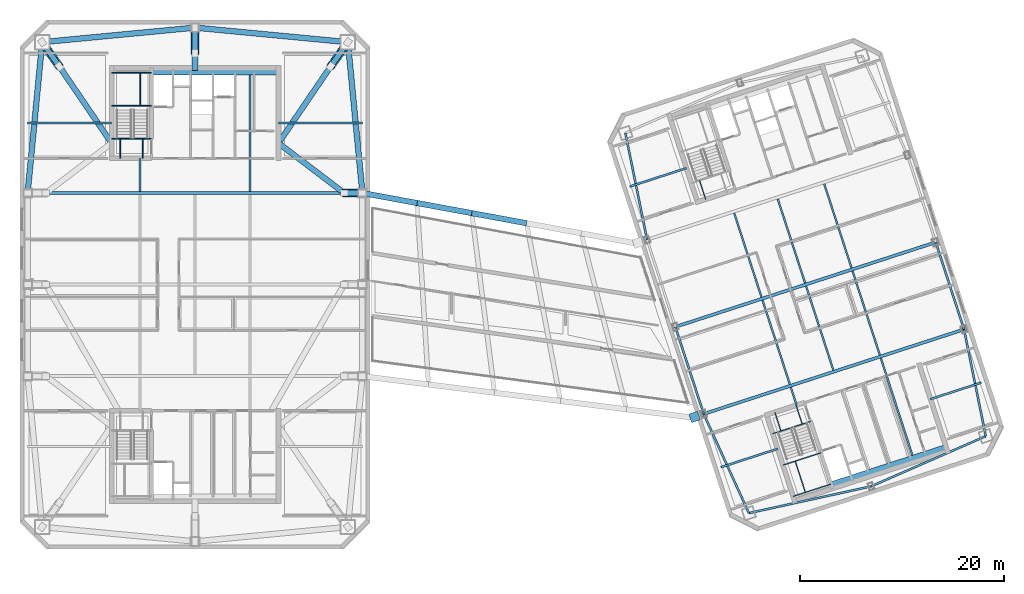
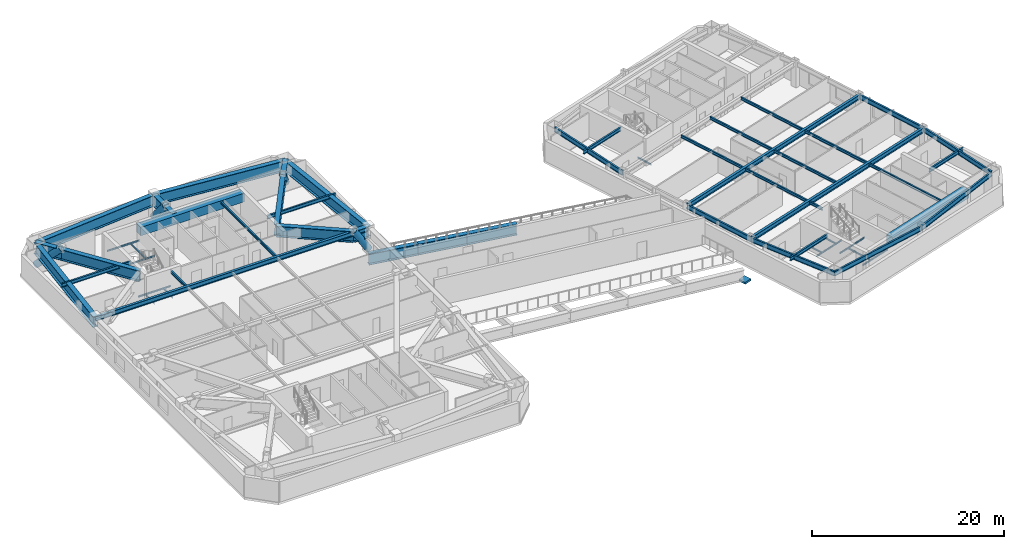
# One storey, part 4 of 18: 55 beams, 5 members.
"""IFC4 building model written with IfcOpenShell, lengths in metres."""

from ifc_helpers import new_model, si_unit, direction, frame, origin, origin_2d, place, context, subcontext, project, spatial, rectangle, hollow_circle, i_section, extrude, material, material_profile, profile_set, type_object, element, save


model = new_model("IFC4")

# Units and contexts
model_context = context("Model", 3, precision=1e-05, world=origin(), true_north=direction((0.0, 1.0)))
body_context = subcontext(model_context, "Body", "Model", "MODEL_VIEW")
ifc_project = project(units=[si_unit("LENGTHUNIT", "METRE"), si_unit("AREAUNIT", "SQUARE_METRE"), si_unit("VOLUMEUNIT", "CUBIC_METRE"), si_unit("PLANEANGLEUNIT", "RADIAN"), si_unit("MASSUNIT", "GRAM", prefix="KILO")], contexts=[model_context])

# Site, building, storey
site_placement = place(None, origin())
site = spatial("IfcSite", under=ifc_project, at=site_placement, CompositionType="ELEMENT")
building_placement = place(site_placement, origin())
building = spatial("IfcBuilding", under=site, at=building_placement, Name="Qiaolan Cultural Towers", CompositionType="ELEMENT")
storey_placement = place(building_placement, frame((0.0, 0.0, 219.64990234375)))
storey = spatial("IfcBuildingStorey", under=building, at=storey_placement, Name="L59", CompositionType="ELEMENT", Elevation=219.64990234375)

# Beams
ifc_material_1 = material(Name="Steel Q420GJB", Category="steel")
ifc_material_profile_1 = material_profile(ifc_material_1, i_section(OverallWidth=0.550048828125, OverallDepth=1.39990234375, WebThickness=0.031982421875, FlangeThickness=0.050048828125, at=origin_2d()), Name="BH1400x550x32x50")
ifc_profile_set_1 = profile_set([ifc_material_profile_1], Name="Steel Q420GJB")
beam_type_1 = type_object("IfcBeamType", Name="BM-BH1400x550x32x50", PredefinedType="BEAM", material=ifc_profile_set_1)
beam_1_placement = place(storey_placement, frame((45.02001953125, 57.820068359375, 2.530029296875), z_axis=(-0.577318275883, -0.816519202672, 0.0), x_axis=(0.816519202672, -0.577318275883, 0.0)))
element("IfcBeam", 1, at=beam_1_placement, inside=storey, type_object=beam_type_1, Name="L59 T1 Setback Transfer Girder MC-NE-A", PredefinedType="BEAM", context=body_context, shape_type="SweptSolid", body=[
    extrude(i_section(OverallWidth=0.550048828125, OverallDepth=1.39990234375, WebThickness=0.031982421875, FlangeThickness=0.050048828125, at=origin_2d()), origin(), (0.0, 0.0, 1.0), 2.92724609375),
])
beam_2_placement = place(storey_placement, frame((43.330078125, 55.429931640625, 2.530029296875), z_axis=(-0.563038304074, -0.826430800579, 0.0), x_axis=(0.826430800579, -0.563038304074, 0.0)))
element("IfcBeam", 2, at=beam_2_placement, inside=storey, type_object=beam_type_1, Name="L59 T1 Setback Transfer Girder MC-NE-B", PredefinedType="BEAM", context=body_context, shape_type="SweptSolid", body=[
    extrude(i_section(OverallWidth=0.550048828125, OverallDepth=1.39990234375, WebThickness=0.031982421875, FlangeThickness=0.050048828125, at=origin_2d()), origin(), (0.0, 0.0, 1.0), 9.111572265625),
])
beam_3_placement = place(storey_placement, frame((14.97998046875, 57.820068359375, 2.530029296875), z_axis=(0.577318275883, -0.816519202672, 0.0), x_axis=(0.816519202672, 0.577318275883, 0.0)))
element("IfcBeam", 3, at=beam_3_placement, inside=storey, type_object=beam_type_1, Name="L59 T1 Setback Transfer Girder MC-NW-A", PredefinedType="BEAM", context=body_context, shape_type="SweptSolid", body=[
    extrude(i_section(OverallWidth=0.550048828125, OverallDepth=1.39990234375, WebThickness=0.031982421875, FlangeThickness=0.050048828125, at=origin_2d()), origin(), (0.0, 0.0, 1.0), 2.92724609375),
])
beam_4_placement = place(storey_placement, frame((16.669921875, 55.429931640625, 2.530029296875), z_axis=(0.563038304074, -0.826430800579, 0.0), x_axis=(0.826430800579, 0.563038304074, 0.0)))
element("IfcBeam", 4, at=beam_4_placement, inside=storey, type_object=beam_type_1, Name="L59 T1 Setback Transfer Girder MC-NW-B", PredefinedType="BEAM", context=body_context, shape_type="SweptSolid", body=[
    extrude(i_section(OverallWidth=0.550048828125, OverallDepth=1.39990234375, WebThickness=0.031982421875, FlangeThickness=0.050048828125, at=origin_2d()), origin(), (0.0, 0.0, 1.0), 9.111572265625),
])
beam_5_placement = place(storey_placement, frame((46.449951171875, 43.0, 2.530029296875), z_axis=(-1.0, 0.0, 0.0), x_axis=(0.0, -1.0, 0.0)))
element("IfcBeam", 5, at=beam_5_placement, inside=storey, type_object=beam_type_1, Name="L59 T1 Setback Transfer Girder PC-E3-A", PredefinedType="BEAM", context=body_context, shape_type="SweptSolid", body=[
    extrude(i_section(OverallWidth=0.550048828125, OverallDepth=1.39990234375, WebThickness=0.031982421875, FlangeThickness=0.050048828125, at=origin_2d()), origin(), (0.0, 0.0, 1.0), 1.800048828125),
])
beam_6_placement = place(storey_placement, frame((44.64990234375, 43.0, 2.530029296875), z_axis=(-0.796284727184, 0.604922005927, 0.0), x_axis=(-0.604922005927, -0.796284727184, 0.0)))
element("IfcBeam", 6, at=beam_6_placement, inside=storey, type_object=beam_type_1, Name="L59 T1 Setback Transfer Girder PC-E3-B", PredefinedType="BEAM", context=body_context, shape_type="SweptSolid", body=[
    extrude(i_section(OverallWidth=0.550048828125, OverallDepth=1.39990234375, WebThickness=0.031982421875, FlangeThickness=0.050048828125, at=origin_2d()), origin(), (0.0, 0.0, 1.0), 8.10009765625),
])
beam_7_placement = place(storey_placement, frame((30.0, 59.25, 2.530029296875), z_axis=(0.0, -1.0, 0.0), x_axis=(1.0, 0.0, 0.0)))
element("IfcBeam", 7, at=beam_7_placement, inside=storey, type_object=beam_type_1, Name="L59 T1 Setback Transfer Girder PC-N0-A", PredefinedType="BEAM", context=body_context, shape_type="SweptSolid", body=[
    extrude(i_section(OverallWidth=0.550048828125, OverallDepth=1.39990234375, WebThickness=0.031982421875, FlangeThickness=0.050048828125, at=origin_2d()), origin(), (0.0, 0.0, 1.0), 2.5),
])
beam_8_placement = place(storey_placement, frame((30.0, 56.75, 2.530029296875), z_axis=(0.0, -1.0, 0.0), x_axis=(1.0, 0.0, 0.0)))
element("IfcBeam", 8, at=beam_8_placement, inside=storey, type_object=beam_type_1, Name="L59 T1 Setback Transfer Girder PC-N0-B", PredefinedType="BEAM", context=body_context, shape_type="SweptSolid", body=[
    extrude(i_section(OverallWidth=0.550048828125, OverallDepth=1.39990234375, WebThickness=0.031982421875, FlangeThickness=0.050048828125, at=origin_2d()), origin(), (0.0, 0.0, 1.0), 1.699951171875),
])
beam_9_placement = place(storey_placement, frame((46.449951171875, 43.0, 2.489990234375), z_axis=(-0.096040159186, 0.995377459974, 0.0), x_axis=(-0.995377459974, -0.096040159186, 0.0)))
element("IfcBeam", 9, at=beam_9_placement, inside=storey, type_object=beam_type_1, Name="L59 T1 Perimeter Spandrel Beam 6", PredefinedType="BEAM", context=body_context, shape_type="SweptSolid", body=[
    extrude(i_section(OverallWidth=0.550048828125, OverallDepth=1.39990234375, WebThickness=0.031982421875, FlangeThickness=0.050048828125, at=origin_2d()), origin(), (0.0, 0.0, 1.0), 14.888916015625),
])
for number, where, z_axis, x_axis, name in (
    (10, (45.02001953125, 57.820068359375, 2.489990234375), (-0.995498889995, 0.094773203061, 0.0), (-0.094773203061, -0.995498889995, 0.0), "L59 T1 Perimeter Spandrel Beam 7"),
    (11, (30.0, 59.25, 2.489990234375), (-0.995498889995, -0.094773203061, 0.0), (0.094773203061, -0.995498889995, 0.0), "L59 T1 Perimeter Spandrel Beam 8"),
):
    element("IfcBeam", number, at=place(storey_placement, frame(where, z_axis=z_axis, x_axis=x_axis)), inside=storey, type_object=beam_type_1, Name=name, PredefinedType="BEAM", context=body_context, shape_type="SweptSolid", body=[
        extrude(i_section(OverallWidth=0.550048828125, OverallDepth=1.39990234375, WebThickness=0.031982421875, FlangeThickness=0.050048828125, at=origin_2d()), origin(), (0.0, 0.0, 1.0), 15.087890625),
    ])
beam_10_placement = place(storey_placement, frame((14.97998046875, 57.820068359375, 2.489990234375), z_axis=(-0.096040159186, -0.995377459974, 0.0), x_axis=(0.995377459974, -0.096040159186, 0.0)))
element("IfcBeam", 12, at=beam_10_placement, inside=storey, type_object=beam_type_1, Name="L59 T1 Perimeter Spandrel Beam 9", PredefinedType="BEAM", context=body_context, shape_type="SweptSolid", body=[
    extrude(i_section(OverallWidth=0.550048828125, OverallDepth=1.39990234375, WebThickness=0.031982421875, FlangeThickness=0.050048828125, at=origin_2d()), origin(), (0.0, 0.0, 1.0), 14.888916015625),
])
for number, where, z_axis, x_axis, name in (
    (13, (46.449951171875, 43.0, -0.97998046875), (0.983452141721, -0.181168112381, 0.0), (0.181168112381, 0.983452141721, 0.0), "Sky Park N Truss Top Chord 1"),
    (14, (51.82666015625, 42.009521484375, -0.97998046875), (0.983452141721, -0.181168112381, 0.0), (0.181168112381, 0.983452141721, 0.0), "Sky Park N Truss Top Chord 2"),
):
    element("IfcBeam", number, at=place(storey_placement, frame(where, z_axis=z_axis, x_axis=x_axis)), inside=storey, type_object=beam_type_1, Name=name, PredefinedType="BEAM", context=body_context, shape_type="SweptSolid", body=[
        extrude(i_section(OverallWidth=0.550048828125, OverallDepth=1.39990234375, WebThickness=0.031982421875, FlangeThickness=0.050048828125, at=origin_2d()), origin(), (0.0, 0.0, 1.0), 5.46728515625),
    ])
beam_11_placement = place(storey_placement, frame((57.203369140625, 41.01904296875, -0.97998046875), z_axis=(0.983460097148, -0.181124921856, 0.0), x_axis=(0.181124921856, 0.983460097148, 0.0)))
element("IfcBeam", 15, at=beam_11_placement, inside=storey, type_object=beam_type_1, Name="Sky Park N Truss Top Chord 3", PredefinedType="BEAM", context=body_context, shape_type="SweptSolid", body=[
    extrude(i_section(OverallWidth=0.550048828125, OverallDepth=1.39990234375, WebThickness=0.031982421875, FlangeThickness=0.050048828125, at=origin_2d()), origin(), (0.0, 0.0, 1.0), 5.467041015625),
])
ifc_material_2 = material(Name="Steel Q355B", Category="steel")
ifc_material_profile_2 = material_profile(ifc_material_2, i_section(OverallWidth=0.300048828125, OverallDepth=0.587890625, WebThickness=0.011962890625, FlangeThickness=0.02001953125, at=origin_2d()), Name="HM588x300x12x20")
ifc_profile_set_2 = profile_set([ifc_material_profile_2], Name="Steel Q355B")
beam_type_2 = type_object("IfcBeamType", Name="BM-HM588x300x12x20", PredefinedType="BEAM", material=ifc_profile_set_2)
beam_12_placement = place(storey_placement, frame((13.550048828125, 43.0, 2.89599609375), z_axis=(1.0, 0.0, 0.0), x_axis=(0.0, 1.0, 0.0)))
element("IfcBeam", 16, at=beam_12_placement, inside=storey, type_object=beam_type_2, Name="L59 T1 Primary Transverse Girder V3", PredefinedType="BEAM", context=body_context, shape_type="SweptSolid", body=[
    extrude(i_section(OverallWidth=0.300048828125, OverallDepth=0.587890625, WebThickness=0.011962890625, FlangeThickness=0.02001953125, at=origin_2d()), origin(), (0.0, 0.0, 1.0), 32.89990234375),
])
beam_13_placement = place(storey_placement, frame((79.989501953125, 21.2841796875, 2.89599609375), z_axis=(0.951056543098, 0.309016911884, 0.0), x_axis=(-0.309016911884, 0.951056543098, 0.0)))
element("IfcBeam", 17, at=beam_13_placement, inside=storey, type_object=beam_type_2, Name="L59 T2 Primary Transverse Girder V1", PredefinedType="BEAM", context=body_context, shape_type="SweptSolid", body=[
    extrude(i_section(OverallWidth=0.300048828125, OverallDepth=0.587890625, WebThickness=0.011962890625, FlangeThickness=0.02001953125, at=origin_2d()), origin(), (0.0, 0.0, 1.0), 26.89990234375),
])
beam_14_placement = place(storey_placement, frame((77.208251953125, 29.84375, 2.89599609375), z_axis=(0.95105740976, 0.309014244561, 0.0), x_axis=(-0.309014244561, 0.95105740976, 0.0)))
element("IfcBeam", 18, at=beam_14_placement, inside=storey, type_object=beam_type_2, Name="L59 T2 Primary Transverse Girder V2", PredefinedType="BEAM", context=body_context, shape_type="SweptSolid", body=[
    extrude(i_section(OverallWidth=0.300048828125, OverallDepth=0.587890625, WebThickness=0.011962890625, FlangeThickness=0.02001953125, at=origin_2d()), origin(), (0.0, 0.0, 1.0), 26.900146484375),
])
ifc_material_3 = material(Name="Steel Q355B", Category="steel")
ifc_material_profile_3 = material_profile(ifc_material_3, i_section(OverallWidth=0.175048828125, OverallDepth=0.35009765625, WebThickness=0.007080078125, FlangeThickness=0.010986328125, at=origin_2d()), Name="HN350x175x7x11")
ifc_profile_set_3 = profile_set([ifc_material_profile_3], Name="Steel Q355B")
beam_type_3 = type_object("IfcBeamType", Name="BM-JST-HN350x175x7x11", PredefinedType="JOIST", material=ifc_profile_set_3)
beam_15_placement = place(storey_placement, frame((24.60009765625, 43.14990234375, 3.01513671875), z_axis=(0.0, 1.0, 0.0), x_axis=(-1.0, 0.0, 0.0)))
element("IfcBeam", 19, at=beam_15_placement, inside=storey, type_object=beam_type_3, Name="L59 T1 Secondary Floor Joist U1-4", PredefinedType="JOIST", context=body_context, shape_type="SweptSolid", body=[
    extrude(i_section(OverallWidth=0.175048828125, OverallDepth=0.35009765625, WebThickness=0.007080078125, FlangeThickness=0.010986328125, at=origin_2d()), origin(), (0.0, 0.0, 1.0), 3.25),
])
beam_16_placement = place(storey_placement, frame((35.39990234375, 43.14990234375, 3.01513671875), z_axis=(0.0, 1.0, 0.0), x_axis=(-1.0, 0.0, 0.0)))
element("IfcBeam", 20, at=beam_16_placement, inside=storey, type_object=beam_type_3, Name="L59 T1 Secondary Floor Joist U3-4", PredefinedType="JOIST", context=body_context, shape_type="SweptSolid", body=[
    extrude(i_section(OverallWidth=0.175048828125, OverallDepth=0.35009765625, WebThickness=0.007080078125, FlangeThickness=0.010986328125, at=origin_2d()), origin(), (0.0, 0.0, 1.0), 11.4501953125),
])
beam_17_placement = place(storey_placement, frame((89.119384765625, 22.147705078125, 3.01513671875), z_axis=(-0.308933885266, 0.951083516067, 0.0), x_axis=(-0.951083516067, -0.308933885266, 0.0)))
element("IfcBeam", 21, at=beam_17_placement, inside=storey, type_object=beam_type_3, Name="L59 T2 Secondary Floor Joist U1-1", PredefinedType="JOIST", context=body_context, shape_type="SweptSolid", body=[
    extrude(i_section(OverallWidth=0.175048828125, OverallDepth=0.35009765625, WebThickness=0.007080078125, FlangeThickness=0.010986328125, at=origin_2d()), origin(), (0.0, 0.0, 1.0), 1.85009765625),
])
for number, where, z_axis, x_axis, name in (
    (22, (88.455078125, 24.192626953125, 3.01513671875), (-0.309020714809, 0.951055307445, 0.0), (-0.951055307445, -0.309020714809, 0.0), "L59 T2 Secondary Floor Joist U1-2"),
    (23, (85.673828125, 32.752197265625, 3.01513671875), (-0.309020714809, 0.951055307445, 0.0), (-0.951055307445, -0.309020714809, 0.0), "L59 T2 Secondary Floor Joist U1-3"),
    (24, (92.73486328125, 25.583251953125, 3.01513671875), (-0.309020714809, 0.951055307445, 0.0), (-0.951055307445, -0.309020714809, 0.0), "L59 T2 Secondary Floor Joist U2-2"),
    (25, (89.95361328125, 34.142578125, 3.01513671875), (-0.309020714809, 0.951055307445, 0.0), (-0.951055307445, -0.309020714809, 0.0), "L59 T2 Secondary Floor Joist U2-3"),
):
    element("IfcBeam", number, at=place(storey_placement, frame(where, z_axis=z_axis, x_axis=x_axis)), inside=storey, type_object=beam_type_3, Name=name, PredefinedType="JOIST", context=body_context, shape_type="SweptSolid", body=[
        extrude(i_section(OverallWidth=0.175048828125, OverallDepth=0.35009765625, WebThickness=0.007080078125, FlangeThickness=0.010986328125, at=origin_2d()), origin(), (0.0, 0.0, 1.0), 8.699951171875),
    ])
beam_18_placement = place(storey_placement, frame((100.498291015625, 17.222900390625, 3.01513671875), z_axis=(-0.309025649293, 0.951053704098, 0.0), x_axis=(-0.951053704098, -0.309025649293, 0.0)))
element("IfcBeam", 26, at=beam_18_placement, inside=storey, type_object=beam_type_3, Name="L59 T2 Secondary Floor Joist U3-1", PredefinedType="JOIST", context=body_context, shape_type="SweptSolid", body=[
    extrude(i_section(OverallWidth=0.175048828125, OverallDepth=0.35009765625, WebThickness=0.007080078125, FlangeThickness=0.010986328125, at=origin_2d()), origin(), (0.0, 0.0, 1.0), 10.050048828125),
])
for number, where, z_axis, x_axis, name in (
    (27, (97.2998046875, 27.06640625, 3.01513671875), (-0.309020714809, 0.951055307445, 0.0), (-0.951055307445, -0.309020714809, 0.0), "L59 T2 Secondary Floor Joist U3-2"),
    (28, (94.518798828125, 35.6259765625, 3.01513671875), (-0.309020714809, 0.951055307445, 0.0), (-0.951055307445, -0.309020714809, 0.0), "L59 T2 Secondary Floor Joist U3-3"),
):
    element("IfcBeam", number, at=place(storey_placement, frame(where, z_axis=z_axis, x_axis=x_axis)), inside=storey, type_object=beam_type_3, Name=name, PredefinedType="JOIST", context=body_context, shape_type="SweptSolid", body=[
        extrude(i_section(OverallWidth=0.175048828125, OverallDepth=0.35009765625, WebThickness=0.007080078125, FlangeThickness=0.010986328125, at=origin_2d()), origin(), (0.0, 0.0, 1.0), 8.699951171875),
    ])
ifc_material_4 = material(Name="Steel Q355B", Category="steel")
ifc_material_profile_4 = material_profile(ifc_material_4, i_section(OverallWidth=0.199951171875, OverallDepth=0.449951171875, WebThickness=0.009033203125, FlangeThickness=0.013916015625, at=origin_2d()), Name="HN450x200x9x14")
ifc_profile_set_4 = profile_set([ifc_material_profile_4], Name="Steel Q355B")
beam_type_4 = type_object("IfcBeamType", Name="BM-LNT-HN450x200x9x14", PredefinedType="LINTEL", material=ifc_profile_set_4)
for number, where, z_axis, x_axis, name in (
    (29, (21.800048828125, 49.89990234375, 2.965087890625), (-1.0, 0.0, 0.0), (0.0, -1.0, 0.0), "L59 T1 Core Flank Tie Lintel WN"),
    (30, (38.199951171875, 49.89990234375, 2.965087890625), (1.0, 0.0, 0.0), (0.0, 1.0, 0.0), "L59 T1 Core Flank Tie Lintel EN"),
):
    element("IfcBeam", number, at=place(storey_placement, frame(where, z_axis=z_axis, x_axis=x_axis)), inside=storey, type_object=beam_type_4, Name=name, PredefinedType="LINTEL", context=body_context, shape_type="SweptSolid", body=[
        extrude(i_section(OverallWidth=0.199951171875, OverallDepth=0.449951171875, WebThickness=0.009033203125, FlangeThickness=0.013916015625, at=origin_2d()), origin(), (0.0, 0.0, 1.0), 8.25),
    ])
for number, where, z_axis, x_axis, name in (
    (31, (87.252685546875, 17.861083984375, 2.965087890625), (-0.951063813276, -0.308994535675, 0.0), (0.308994535675, -0.951063813276, 0.0), "L59 T2 Core Flank Tie Lintel WS"),
    (32, (78.291259765625, 45.44189453125, 2.965087890625), (-0.951051548326, -0.309032283793, 0.0), (0.309032283793, -0.951051548326, 0.0), "L59 T2 Core Flank Tie Lintel WN"),
):
    element("IfcBeam", number, at=place(storey_placement, frame(where, z_axis=z_axis, x_axis=x_axis)), inside=storey, type_object=beam_type_4, Name=name, PredefinedType="LINTEL", context=body_context, shape_type="SweptSolid", body=[
        extrude(i_section(OverallWidth=0.199951171875, OverallDepth=0.449951171875, WebThickness=0.009033203125, FlangeThickness=0.013916015625, at=origin_2d()), origin(), (0.0, 0.0, 1.0), 5.85009765625),
    ])
beam_19_placement = place(storey_placement, frame((102.279296875, 22.74365234375, 2.965087890625), z_axis=(0.951060037126, 0.309006158161, 0.0), x_axis=(-0.309006158161, 0.951060037126, 0.0)))
element("IfcBeam", 33, at=beam_19_placement, inside=storey, type_object=beam_type_4, Name="L59 T2 Core Flank Tie Lintel ES", PredefinedType="LINTEL", context=body_context, shape_type="SweptSolid", body=[
    extrude(i_section(OverallWidth=0.199951171875, OverallDepth=0.449951171875, WebThickness=0.009033203125, FlangeThickness=0.013916015625, at=origin_2d()), origin(), (0.0, 0.0, 1.0), 5.25),
])
ifc_material_5 = material(Name="Concrete C50", Category="concrete")
ifc_material_profile_5 = material_profile(ifc_material_5, rectangle(XDim=0.89990234375, YDim=1.10009765625, at=origin_2d()), Name="RC900x1100")
ifc_profile_set_5 = profile_set([ifc_material_profile_5], Name="Concrete C50")
beam_type_5 = type_object("IfcBeamType", Name="BM-RC900x1100", PredefinedType="BEAM", material=ifc_profile_set_5)
beam_20_placement = place(storey_placement, frame((25.719970703125, 55.050048828125, 2.64013671875), z_axis=(1.0, 0.0, 0.0), x_axis=(0.0, 1.0, 0.0)))
element("IfcBeam", 34, at=beam_20_placement, inside=storey, type_object=beam_type_5, Name="L59 T1 Core Header Girder N", PredefinedType="BEAM", context=body_context, shape_type="SweptSolid", body=[
    extrude(rectangle(XDim=0.89990234375, YDim=1.10009765625, at=origin_2d()), origin(), (0.0, 0.0, 1.0), 12.47998046875),
])
beam_21_placement = place(storey_placement, frame((92.572265625, 14.174560546875, 2.64013671875), z_axis=(0.951056266386, 0.309017763514, 0.0), x_axis=(-0.309017763514, 0.951056266386, 0.0)))
element("IfcBeam", 35, at=beam_21_placement, inside=storey, type_object=beam_type_5, Name="L59 T2 Core Header Girder S", PredefinedType="BEAM", context=body_context, shape_type="SweptSolid", body=[
    extrude(rectangle(XDim=0.89990234375, YDim=1.10009765625, at=origin_2d()), origin(), (0.0, 0.0, 1.0), 11.880126953125),
])
ifc_material_6 = material(Name="Steel Q355B", Category="steel")
ifc_material_profile_6 = material_profile(ifc_material_6, i_section(OverallWidth=0.199951171875, OverallDepth=0.60009765625, WebThickness=0.010986328125, FlangeThickness=0.01708984375, at=origin_2d()), Name="HN600x200x11x17")
ifc_profile_set_6 = profile_set([ifc_material_profile_6], Name="Steel Q355B")
beam_type_6 = type_object("IfcBeamType", Name="BM-SPD-HN600x200x11x17", PredefinedType="SPANDREL", material=ifc_profile_set_6)
beam_22_placement = place(storey_placement, frame((84.42822265625, 11.538818359375, 2.89013671875), z_axis=(0.976843395078, 0.213955559619, 0.0), x_axis=(-0.213955559619, 0.976843395078, 0.0)))
element("IfcBeam", 36, at=beam_22_placement, inside=storey, type_object=beam_type_6, Name="L59 T2 Perimeter Spandrel Beam 1", PredefinedType="SPANDREL", context=body_context, shape_type="SweptSolid", body=[
    extrude(i_section(OverallWidth=0.199951171875, OverallDepth=0.60009765625, WebThickness=0.010986328125, FlangeThickness=0.01708984375, at=origin_2d()), origin(), (0.0, 0.0, 1.0), 12.2998046875),
])
beam_23_placement = place(storey_placement, frame((96.443115234375, 14.17041015625, 2.89013671875), z_axis=(0.916042038824, 0.401082264762, 0.0), x_axis=(-0.401082264762, 0.916042038824, 0.0)))
element("IfcBeam", 37, at=beam_23_placement, inside=storey, type_object=beam_type_6, Name="L59 T2 Perimeter Spandrel Beam 2", PredefinedType="SPANDREL", context=body_context, shape_type="SweptSolid", body=[
    extrude(i_section(OverallWidth=0.199951171875, OverallDepth=0.60009765625, WebThickness=0.010986328125, FlangeThickness=0.01708984375, at=origin_2d()), origin(), (0.0, 0.0, 1.0), 12.299560546875),
])
beam_24_placement = place(storey_placement, frame((107.7099609375, 19.103515625, 2.89013671875), z_axis=(-0.199578538116, 0.979881833245, 0.0), x_axis=(-0.979881833245, -0.199578538116, 0.0)))
element("IfcBeam", 38, at=beam_24_placement, inside=storey, type_object=beam_type_6, Name="L59 T2 Perimeter Spandrel Beam 3", PredefinedType="SPANDREL", context=body_context, shape_type="SweptSolid", body=[
    extrude(i_section(OverallWidth=0.199951171875, OverallDepth=0.60009765625, WebThickness=0.010986328125, FlangeThickness=0.01708984375, at=origin_2d()), origin(), (0.0, 0.0, 1.0), 10.70849609375),
])
beam_25_placement = place(storey_placement, frame((105.57275390625, 29.5966796875, 2.89013671875), z_axis=(-0.309000197986, 0.951061973609, 0.0), x_axis=(-0.951061973609, -0.309000197986, 0.0)))
element("IfcBeam", 39, at=beam_25_placement, inside=storey, type_object=beam_type_6, Name="L59 T2 Perimeter Spandrel Beam 4", PredefinedType="SPANDREL", context=body_context, shape_type="SweptSolid", body=[
    extrude(i_section(OverallWidth=0.199951171875, OverallDepth=0.60009765625, WebThickness=0.010986328125, FlangeThickness=0.01708984375, at=origin_2d()), origin(), (0.0, 0.0, 1.0), 9.0),
])
beam_26_placement = place(storey_placement, frame((72.2900390625, 48.896484375, 2.89013671875), z_axis=(0.199578538116, -0.979881833245, 0.0), x_axis=(0.979881833245, 0.199578538116, 0.0)))
element("IfcBeam", 40, at=beam_26_placement, inside=storey, type_object=beam_type_6, Name="L59 T2 Perimeter Spandrel Beam 9", PredefinedType="SPANDREL", context=body_context, shape_type="SweptSolid", body=[
    extrude(i_section(OverallWidth=0.199951171875, OverallDepth=0.60009765625, WebThickness=0.010986328125, FlangeThickness=0.01708984375, at=origin_2d()), origin(), (0.0, 0.0, 1.0), 10.70849609375),
])
beam_27_placement = place(storey_placement, frame((77.208251953125, 29.84375, 2.89013671875), z_axis=(0.309024734286, -0.951054001411, 0.0), x_axis=(0.951054001411, 0.309024734286, 0.0)))
element("IfcBeam", 41, at=beam_27_placement, inside=storey, type_object=beam_type_6, Name="L59 T2 Perimeter Spandrel Beam 11", PredefinedType="SPANDREL", context=body_context, shape_type="SweptSolid", body=[
    extrude(i_section(OverallWidth=0.199951171875, OverallDepth=0.60009765625, WebThickness=0.010986328125, FlangeThickness=0.01708984375, at=origin_2d()), origin(), (0.0, 0.0, 1.0), 9.0),
])
beam_28_placement = place(storey_placement, frame((79.989501953125, 21.2841796875, 2.89013671875), z_axis=(0.414500208282, -0.910049216985, 0.0), x_axis=(0.910049216985, 0.414500208282, 0.0)))
element("IfcBeam", 42, at=beam_28_placement, inside=storey, type_object=beam_type_6, Name="L59 T2 Perimeter Spandrel Beam 12", PredefinedType="SPANDREL", context=body_context, shape_type="SweptSolid", body=[
    extrude(i_section(OverallWidth=0.199951171875, OverallDepth=0.60009765625, WebThickness=0.010986328125, FlangeThickness=0.01708984375, at=origin_2d()), origin(), (0.0, 0.0, 1.0), 10.70849609375),
])
ifc_material_7 = material(Name="Steel Q355B", Category="steel")
ifc_material_profile_7 = material_profile(ifc_material_7, i_section(OverallWidth=0.10009765625, OverallDepth=0.199951171875, WebThickness=0.005615234375, FlangeThickness=0.008056640625, at=origin_2d()), Name="HN200x100x5.5x8")
ifc_profile_set_7 = profile_set([ifc_material_profile_7], Name="Steel Q355B")
beam_type_7 = type_object("IfcBeamType", Name="BM-STTRIM-200", PredefinedType="BEAM", material=ifc_profile_set_7)
beam_29_placement = place(storey_placement, frame((21.800048828125, 48.340087890625, -0.4599609375), z_axis=(1.0, 0.0, 0.0), x_axis=(0.0, 1.0, 0.0)))
element("IfcBeam", 43, at=beam_29_placement, inside=storey, type_object=beam_type_7, Name="L59 ST-W2 Floor Landing Header Beam", PredefinedType="BEAM", context=body_context, shape_type="SweptSolid", body=[
    extrude(i_section(OverallWidth=0.10009765625, OverallDepth=0.199951171875, WebThickness=0.005615234375, FlangeThickness=0.008056640625, at=origin_2d()), origin(), (0.0, 0.0, 1.0), 3.919921875),
])
for number, where, z_axis, x_axis, name in (
    (44, (22.64990234375, 46.39990234375, -0.4599609375), (0.0, 1.0, 0.0), (-1.0, 0.0, 0.0), "L59 ST-W2 Floor Landing Stringer 1"),
    (45, (24.85009765625, 46.39990234375, -0.4599609375), (0.0, 1.0, 0.0), (-1.0, 0.0, 0.0), "L59 ST-W2 Floor Landing Stringer 2"),
):
    element("IfcBeam", number, at=place(storey_placement, frame(where, z_axis=z_axis, x_axis=x_axis)), inside=storey, type_object=beam_type_7, Name=name, PredefinedType="BEAM", context=body_context, shape_type="SweptSolid", body=[
        extrude(i_section(OverallWidth=0.10009765625, OverallDepth=0.199951171875, WebThickness=0.005615234375, FlangeThickness=0.008056640625, at=origin_2d()), origin(), (0.0, 0.0, 1.0), 1.940185546875),
    ])
for number, where, z_axis, x_axis, name in (
    (46, (21.800048828125, 51.588623046875, 1.425048828125), (1.0, 0.0, 0.0), (0.0, 1.0, 0.0), "L59 ST-W2 Stair Landing Support Beam 1-1"),
    (47, (21.800048828125, 54.820068359375, 1.425048828125), (1.0, 0.0, 0.0), (0.0, 1.0, 0.0), "L59 ST-W2 Stair Landing Support Beam 1-2"),
):
    element("IfcBeam", number, at=place(storey_placement, frame(where, z_axis=z_axis, x_axis=x_axis)), inside=storey, type_object=beam_type_7, Name=name, PredefinedType="BEAM", context=body_context, shape_type="SweptSolid", body=[
        extrude(i_section(OverallWidth=0.10009765625, OverallDepth=0.199951171875, WebThickness=0.005615234375, FlangeThickness=0.008056640625, at=origin_2d()), origin(), (0.0, 0.0, 1.0), 3.919921875),
    ])
beam_30_placement = place(storey_placement, frame((24.610107421875, 51.588623046875, 1.425048828125), z_axis=(0.0, 1.0, 0.0), x_axis=(-1.0, 0.0, 0.0)))
element("IfcBeam", 48, at=beam_30_placement, inside=storey, type_object=beam_type_7, Name="L59 ST-W2 Stair Landing Trimmer 1", PredefinedType="BEAM", context=body_context, shape_type="SweptSolid", body=[
    extrude(i_section(OverallWidth=0.10009765625, OverallDepth=0.199951171875, WebThickness=0.005615234375, FlangeThickness=0.008056640625, at=origin_2d()), origin(), (0.0, 0.0, 1.0), 3.2314453125),
])
beam_31_placement = place(storey_placement, frame((86.770751953125, 19.3447265625, -0.4599609375), z_axis=(0.951047798727, 0.309043823005, 0.0), x_axis=(-0.309043823005, 0.951047798727, 0.0)))
element("IfcBeam", 49, at=beam_31_placement, inside=storey, type_object=beam_type_7, Name="L59 ST-E1 Floor Landing Header Beam", PredefinedType="BEAM", context=body_context, shape_type="SweptSolid", body=[
    extrude(i_section(OverallWidth=0.10009765625, OverallDepth=0.199951171875, WebThickness=0.005615234375, FlangeThickness=0.008056640625, at=origin_2d()), origin(), (0.0, 0.0, 1.0), 3.919921875),
])
for number, where, z_axis, x_axis, name in (
    (50, (86.9794921875, 21.452392578125, -0.4599609375), (0.309083226701, -0.951034993558, 0.0), (0.951034993558, 0.309083226701, 0.0), "L59 ST-E1 Floor Landing Stringer 1"),
    (51, (89.07177734375, 22.13232421875, -0.4599609375), (0.309083226701, -0.951034993558, 0.0), (0.951034993558, 0.309083226701, 0.0), "L59 ST-E1 Floor Landing Stringer 2"),
):
    element("IfcBeam", number, at=place(storey_placement, frame(where, z_axis=z_axis, x_axis=x_axis)), inside=storey, type_object=beam_type_7, Name=name, PredefinedType="BEAM", context=body_context, shape_type="SweptSolid", body=[
        extrude(i_section(OverallWidth=0.10009765625, OverallDepth=0.199951171875, WebThickness=0.005615234375, FlangeThickness=0.008056640625, at=origin_2d()), origin(), (0.0, 0.0, 1.0), 1.93994140625),
    ])
for number, where, z_axis, x_axis, name in (
    (52, (87.774658203125, 16.255126953125, 1.425048828125), (0.951047798727, 0.309043823005, 0.0), (-0.309043823005, 0.951047798727, 0.0), "L59 ST-E1 Stair Landing Support Beam 1-1"),
    (53, (88.773193359375, 13.181884765625, 1.425048828125), (0.951047798727, 0.309043823005, 0.0), (-0.309043823005, 0.951047798727, 0.0), "L59 ST-E1 Stair Landing Support Beam 1-2"),
):
    element("IfcBeam", number, at=place(storey_placement, frame(where, z_axis=z_axis, x_axis=x_axis)), inside=storey, type_object=beam_type_7, Name=name, PredefinedType="BEAM", context=body_context, shape_type="SweptSolid", body=[
        extrude(i_section(OverallWidth=0.10009765625, OverallDepth=0.199951171875, WebThickness=0.005615234375, FlangeThickness=0.008056640625, at=origin_2d()), origin(), (0.0, 0.0, 1.0), 3.919921875),
    ])
beam_32_placement = place(storey_placement, frame((88.982421875, 16.6474609375, 1.425048828125), z_axis=(0.309033108495, -0.951051280349, 0.0), x_axis=(0.951051280349, 0.309033108495, 0.0)))
element("IfcBeam", 54, at=beam_32_placement, inside=storey, type_object=beam_type_7, Name="L59 ST-E1 Stair Landing Trimmer 1", PredefinedType="BEAM", context=body_context, shape_type="SweptSolid", body=[
    extrude(i_section(OverallWidth=0.10009765625, OverallDepth=0.199951171875, WebThickness=0.005615234375, FlangeThickness=0.008056640625, at=origin_2d()), origin(), (0.0, 0.0, 1.0), 3.231201171875),
])
beam_33_placement = place(storey_placement, frame((80.18115234375, 42.375732421875, -0.4599609375), z_axis=(-0.308969394428, 0.951071981138, 0.0), x_axis=(-0.951071981138, -0.308969394428, 0.0)))
element("IfcBeam", 55, at=beam_33_placement, inside=storey, type_object=beam_type_7, Name="L59 ST-E2 Floor Landing Stringer 1", PredefinedType="BEAM", context=body_context, shape_type="SweptSolid", body=[
    extrude(i_section(OverallWidth=0.10009765625, OverallDepth=0.199951171875, WebThickness=0.005615234375, FlangeThickness=0.008056640625, at=origin_2d()), origin(), (0.0, 0.0, 1.0), 1.93994140625),
])

# Members
ifc_material_8 = material(Name="Steel Q355B", Category="steel")
ifc_material_profile_8 = material_profile(ifc_material_8, rectangle(XDim=0.89990234375, YDim=0.25, at=origin_2d()), Name="SPH-BRG-900x900")
ifc_profile_set_8 = profile_set([ifc_material_profile_8], Name="Steel Q355B")
member_type_1 = type_object("IfcMemberType", Name="BRG-SLIDE-SPH", PredefinedType="USERDEFINED", material=ifc_profile_set_8)
member_1_placement = place(storey_placement, frame((79.513916015625, 21.129638671875, -1.804931640625), z_axis=(-0.951069945308, -0.308975661068, 0.0), x_axis=(0.308975661068, -0.951069945308, 0.0)))
element("IfcMember", 56, at=member_1_placement, inside=storey, type_object=member_type_1, Name="Sky Park Upper Chord Sliding Bearing BRG-SL1-US", ObjectType="BEARING", PredefinedType="USERDEFINED", context=body_context, shape_type="SweptSolid", body=[
    extrude(rectangle(XDim=0.89990234375, YDim=0.25, at=origin_2d()), origin(), (0.0, 0.0, 1.0), 0.89990234375),
])
ifc_material_9 = material(Name="Steel Q390GJB", Category="steel")
ifc_material_profile_9 = material_profile(ifc_material_9, hollow_circle(Radius=0.39990234375, WallThickness=0.0400390625, at=origin_2d()), Name="CHS800x40")
ifc_profile_set_9 = profile_set([ifc_material_profile_9], Name="Steel Q390GJB")
member_type_2 = type_object("IfcMemberType", Name="MBR-BRC-CHS800x40", PredefinedType="BRACE", material=ifc_profile_set_9)
for number, where, z_axis, x_axis, name in (
    (57, (45.02001953125, 57.820068359375, 0.300048828125), (-0.408037090451, -0.577099554393, 0.707433273981), (0.816519202672, -0.577318275883, 0.0), "L59 T1 Setback Transfer Raker Strut MC-NE"),
    (58, (14.97998046875, 57.820068359375, 0.300048828125), (0.408037090451, -0.577099554393, 0.707433273981), (0.816519202672, 0.577318275883, 0.0), "L59 T1 Setback Transfer Raker Strut MC-NW"),
):
    element("IfcMember", number, at=place(storey_placement, frame(where, z_axis=z_axis, x_axis=x_axis)), inside=storey, type_object=member_type_2, Name=name, PredefinedType="BRACE", context=body_context, shape_type="SweptSolid", body=[
        extrude(hollow_circle(Radius=0.39990234375, WallThickness=0.0400390625, at=origin_2d()), origin(), (0.0, 0.0, 1.0), 4.1416015625),
    ])
member_2_placement = place(storey_placement, frame((46.449951171875, 43.0, 0.300048828125), z_axis=(-0.523467442692, 0.0, 0.852045677438), x_axis=(0.0, -1.0, 0.0)))
element("IfcMember", 59, at=member_2_placement, inside=storey, type_object=member_type_2, Name="L59 T1 Setback Transfer Raker Strut PC-E3", PredefinedType="BRACE", context=body_context, shape_type="SweptSolid", body=[
    extrude(hollow_circle(Radius=0.39990234375, WallThickness=0.0400390625, at=origin_2d()), origin(), (0.0, 0.0, 1.0), 3.438720703125),
])
member_3_placement = place(storey_placement, frame((30.0, 59.25, 0.300048828125), z_axis=(0.0, -0.6490879709, 0.760713353395), x_axis=(1.0, 0.0, 0.0)))
element("IfcMember", 60, at=member_3_placement, inside=storey, type_object=member_type_2, Name="L59 T1 Setback Transfer Raker Strut PC-N0", PredefinedType="BRACE", context=body_context, shape_type="SweptSolid", body=[
    extrude(hollow_circle(Radius=0.39990234375, WallThickness=0.0400390625, at=origin_2d()), origin(), (0.0, 0.0, 1.0), 3.8515625),
])

save(model, "model.ifc")
